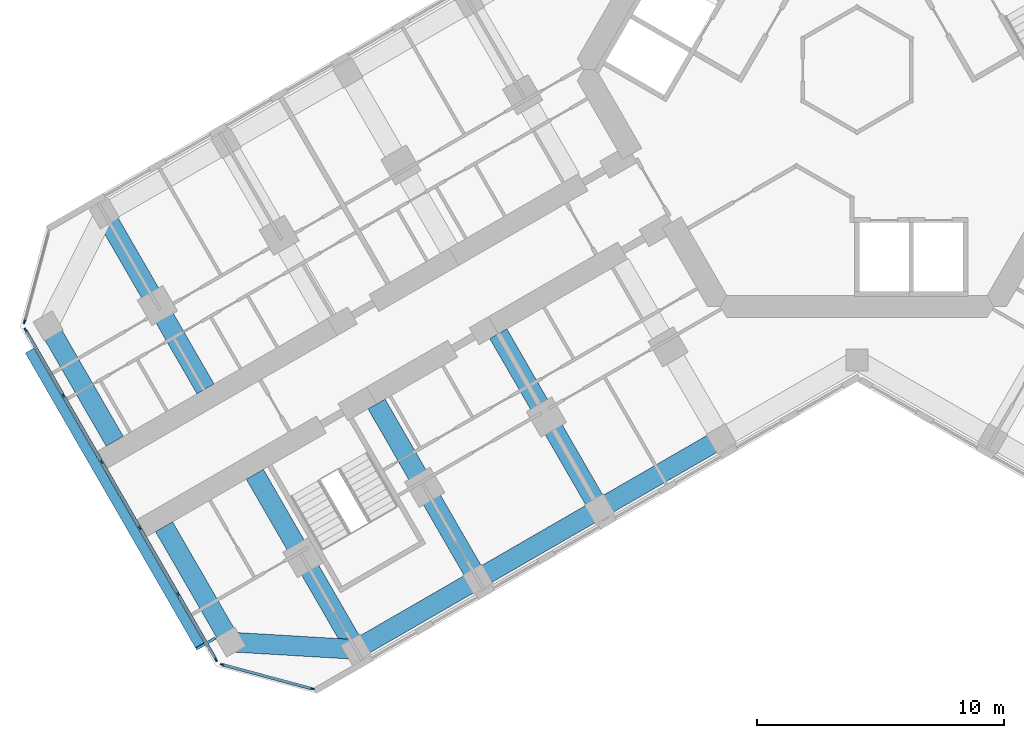
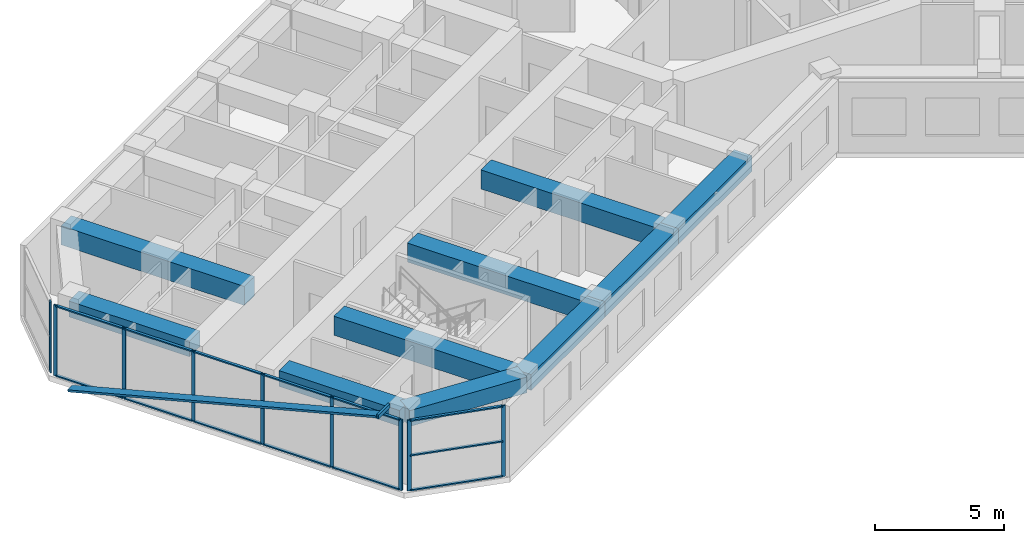
# One storey, part 2 of 20: 24 members, 10 beams, 3 elements without a shape of their own.
"""IFC4 building model written with IfcOpenShell, lengths in metres."""

from ifc_helpers import new_model, si_unit, direction, frame, origin, origin_2d, place, context, subcontext, project, spatial, rectangle, hollow_rectangle, extrude, material, material_profile, profile_set, type_object, element, aggregate, save


model = new_model("IFC4")

# Units and contexts
model_context = context("Model", 3, precision=1e-05, world=origin(), true_north=direction((0.0, 1.0)))
body_context = subcontext(model_context, "Body", "Model", "MODEL_VIEW")
ifc_project = project(units=[si_unit("LENGTHUNIT", "METRE"), si_unit("AREAUNIT", "SQUARE_METRE"), si_unit("VOLUMEUNIT", "CUBIC_METRE"), si_unit("PLANEANGLEUNIT", "RADIAN"), si_unit("MASSUNIT", "GRAM", prefix="KILO")], contexts=[model_context])

# Site, building, storey
site_placement = place(None, origin())
site = spatial("IfcSite", under=ifc_project, at=site_placement, CompositionType="ELEMENT")
building_placement = place(site_placement, origin())
building = spatial("IfcBuilding", under=site, at=building_placement, Name="Kosmar Iwan School Tower", CompositionType="ELEMENT")
storey_placement = place(building_placement, frame((0.0, 0.0, 131.0)))
storey = spatial("IfcBuildingStorey", under=building, at=storey_placement, Name="L32", CompositionType="ELEMENT", Elevation=131.0)

# Members
ifc_material_1 = material(Name="Black anodised aluminium", Category="aluminium")
ifc_material_profile_1 = material_profile(ifc_material_1, rectangle(XDim=0.10009765625, YDim=0.39990234375, at=origin_2d()), Name="FIN 100x400")
ifc_profile_set_1 = profile_set([ifc_material_profile_1], Name="Black anodised aluminium")
member_type_1 = type_object("IfcMemberType", Name="Diagonal fin 100x400", PredefinedType="USERDEFINED", material=ifc_profile_set_1)
member_1_placement = place(storey_placement, frame((-33.54345703125, -11.40087890625, -0.14990234375), z_axis=(0.483795538458, -0.837973939202, 0.252470897702), x_axis=(-0.126233699175, 0.218647221293, 0.967604488318)))
element("IfcMember", 1, at=member_1_placement, inside=storey, type_object=member_type_1, Name="Diagonal fin L32-F13", ObjectType="FIN", PredefinedType="USERDEFINED", context=body_context, shape_type="SweptSolid", body=[
    extrude(rectangle(XDim=0.10009765625, YDim=0.39990234375, at=origin_2d()), origin(), (0.0, 0.0, 1.0), 14.258544921875),
])
ifc_material_2 = material(Name="Steel S355", Category="steel")
ifc_material_profile_2 = material_profile(ifc_material_2, hollow_rectangle(XDim=0.10009765625, YDim=0.199951171875, WallThickness=0.008056640625, at=origin_2d()), Name="RHS 200x100x8")
ifc_profile_set_2 = profile_set([ifc_material_profile_2], Name="Steel S355")
member_type_2 = type_object("IfcMemberType", Name="Fin bracket RHS 200x100", PredefinedType="USERDEFINED", material=ifc_profile_set_2)
member_2_placement = place(storey_placement, frame((-26.01318359375, -23.0439453125, 3.47509765625), z_axis=(-0.866013897511, -0.50001992892, 0.0), x_axis=(0.50001992892, -0.866013897511, 0.0)))
element("IfcMember", 2, at=member_2_placement, inside=storey, type_object=member_type_2, Name="Fin bracket L33", ObjectType="FIN BRACKET", PredefinedType="USERDEFINED", context=body_context, shape_type="SweptSolid", body=[
    extrude(hollow_rectangle(XDim=0.10009765625, YDim=0.199951171875, WallThickness=0.008056640625, at=origin_2d()), origin(), (0.0, 0.0, 1.0), 0.89990234375),
])

# Curtain wall, member
ifc_material_3 = material(Name="Dark glass in black aluminium frame", Category="aluminium")
curtain_wall_type_1 = type_object("IfcCurtainWallType", Name="Chamfer curtain wall dark glass", PredefinedType="USERDEFINED", material=ifc_material_3)
curtain_wall_1_placement = place(storey_placement, origin())
curtain_wall_1 = element("IfcCurtainWall", 3, at=curtain_wall_1_placement, inside=storey, type_object=curtain_wall_type_1, Name="Curtain wall L32-F12", ObjectType="FACETED CURTAIN WALL", PredefinedType="USERDEFINED")
ifc_material_4 = material(Name="Black anodised aluminium", Category="aluminium")
ifc_material_profile_3 = material_profile(ifc_material_4, rectangle(XDim=0.06005859375, YDim=0.159912109375, at=origin_2d()), Name="MULLION 60x160")
ifc_profile_set_3 = profile_set([ifc_material_profile_3], Name="Black anodised aluminium")
member_type_3 = type_object("IfcMemberType", Name="Mullion 60x160", PredefinedType="MULLION", material=ifc_profile_set_3)
member_3_placement = place(storey_placement, frame((-33.7587890625, -10.2236328125, 0.0), z_axis=(0.0, 0.0, 1.0), x_axis=(0.965925875495, -0.258818861462, 0.0)))
member_3 = element("IfcMember", 4, at=member_3_placement, type_object=member_type_3, Name="CW2 mullion 2", PredefinedType="MULLION", context=body_context, shape_type="SweptSolid", body=[
    extrude(rectangle(XDim=0.06005859375, YDim=0.159912109375, at=origin_2d()), origin(), (0.0, 0.0, 1.0), 3.35009765625),
])
aggregate(curtain_wall_1, [member_3])

# Curtain wall, members
ifc_material_5 = material(Name="Dark glass in black aluminium frame", Category="aluminium")
curtain_wall_type_2 = type_object("IfcCurtainWallType", Name="Tower curtain wall dark glass", PredefinedType="USERDEFINED", material=ifc_material_5)
curtain_wall_2_placement = place(storey_placement, origin())
curtain_wall_2 = element("IfcCurtainWall", 5, at=curtain_wall_2_placement, inside=storey, type_object=curtain_wall_type_2, Name="Curtain wall L32-F13", ObjectType="UNITISED CURTAIN WALL", PredefinedType="USERDEFINED")
member_4_placement = place(storey_placement, frame((-33.71533203125, -10.55322265625, 0.0), z_axis=(0.0, 0.0, 1.0), x_axis=(0.866025405329, 0.499999997325, 0.0)))
member_4 = element("IfcMember", 6, at=member_4_placement, type_object=member_type_3, Name="CW1 mullion 1", PredefinedType="MULLION", context=body_context, shape_type="SweptSolid", body=[
    extrude(rectangle(XDim=0.06005859375, YDim=0.159912109375, at=origin_2d()), origin(), (0.0, 0.0, 1.0), 3.35009765625),
])
member_5_placement = place(storey_placement, frame((-32.1806640625, -13.21142578125, 0.0), z_axis=(0.0, 0.0, 1.0), x_axis=(0.866025405329, 0.499999997325, 0.0)))
member_5 = element("IfcMember", 7, at=member_5_placement, type_object=member_type_3, Name="CW1 mullion 2", PredefinedType="MULLION", context=body_context, shape_type="SweptSolid", body=[
    extrude(rectangle(XDim=0.06005859375, YDim=0.159912109375, at=origin_2d()), origin(), (0.0, 0.0, 1.0), 3.35009765625),
])
member_6_placement = place(storey_placement, frame((-30.631103515625, -15.8955078125, 0.0), z_axis=(0.0, 0.0, 1.0), x_axis=(0.866025405329, 0.499999997325, 0.0)))
member_6 = element("IfcMember", 8, at=member_6_placement, type_object=member_type_3, Name="CW1 mullion 3", PredefinedType="MULLION", context=body_context, shape_type="SweptSolid", body=[
    extrude(rectangle(XDim=0.06005859375, YDim=0.159912109375, at=origin_2d()), origin(), (0.0, 0.0, 1.0), 3.35009765625),
])
member_7_placement = place(storey_placement, frame((-29.081298828125, -18.57958984375, 0.0), z_axis=(0.0, 0.0, 1.0), x_axis=(0.866025405329, 0.499999997325, 0.0)))
member_7 = element("IfcMember", 9, at=member_7_placement, type_object=member_type_3, Name="CW1 mullion 4", PredefinedType="MULLION", context=body_context, shape_type="SweptSolid", body=[
    extrude(rectangle(XDim=0.06005859375, YDim=0.159912109375, at=origin_2d()), origin(), (0.0, 0.0, 1.0), 3.35009765625),
])
member_8_placement = place(storey_placement, frame((-27.53173828125, -21.263671875, 0.0), z_axis=(0.0, 0.0, 1.0), x_axis=(0.866025405329, 0.499999997325, 0.0)))
member_8 = element("IfcMember", 10, at=member_8_placement, type_object=member_type_3, Name="CW1 mullion 5", PredefinedType="MULLION", context=body_context, shape_type="SweptSolid", body=[
    extrude(rectangle(XDim=0.06005859375, YDim=0.159912109375, at=origin_2d()), origin(), (0.0, 0.0, 1.0), 3.35009765625),
])
member_9_placement = place(storey_placement, frame((-25.9970703125, -23.921630859375, 0.0), z_axis=(0.0, 0.0, 1.0), x_axis=(0.866025405329, 0.499999997325, 0.0)))
member_9 = element("IfcMember", 11, at=member_9_placement, type_object=member_type_3, Name="CW1 mullion 6", PredefinedType="MULLION", context=body_context, shape_type="SweptSolid", body=[
    extrude(rectangle(XDim=0.06005859375, YDim=0.159912109375, at=origin_2d()), origin(), (0.0, 0.0, 1.0), 3.35009765625),
])

curtain_wall_3_placement = place(storey_placement, origin())
curtain_wall_3 = element("IfcCurtainWall", 12, at=curtain_wall_3_placement, inside=storey, type_object=curtain_wall_type_1, Name="Curtain wall L32-F14", ObjectType="FACETED CURTAIN WALL", PredefinedType="USERDEFINED")
member_10_placement = place(storey_placement, frame((-25.733154296875, -24.124267578125, 0.0), z_axis=(0.0, 0.0, 1.0), x_axis=(0.258818861462, 0.965925875495, 0.0)))
member_10 = element("IfcMember", 13, at=member_10_placement, type_object=member_type_3, Name="CW2 mullion 1", PredefinedType="MULLION", context=body_context, shape_type="SweptSolid", body=[
    extrude(rectangle(XDim=0.06005859375, YDim=0.159912109375, at=origin_2d()), origin(), (0.0, 0.0, 1.0), 3.35009765625),
])
member_11_placement = place(storey_placement, frame((-22.0830078125, -25.102294921875, 0.0), z_axis=(0.0, 0.0, 1.0), x_axis=(0.258818861462, 0.965925875495, 0.0)))
member_11 = element("IfcMember", 14, at=member_11_placement, type_object=member_type_3, Name="CW2 mullion 2", PredefinedType="MULLION", context=body_context, shape_type="SweptSolid", body=[
    extrude(rectangle(XDim=0.06005859375, YDim=0.159912109375, at=origin_2d()), origin(), (0.0, 0.0, 1.0), 3.35009765625),
])

# Beams
ifc_material_6 = material(Name="Concrete C50/60", Category="concrete")
ifc_material_profile_4 = material_profile(ifc_material_6, rectangle(XDim=0.800048828125, YDim=0.75, at=origin_2d()), Name="RC 800x750")
ifc_profile_set_4 = profile_set([ifc_material_profile_4], Name="Concrete C50/60")
beam_type_1 = type_object("IfcBeamType", Name="RC edge beam 800x750", PredefinedType="BEAM", material=ifc_profile_set_4)
beam_1_placement = place(storey_placement, frame((-5.5087890625, -14.95849609375, 2.97509765625), z_axis=(-0.866033658841, -0.49998570155, 0.0), x_axis=(0.49998570155, -0.866033658841, 0.0)))
element("IfcBeam", 15, at=beam_1_placement, inside=storey, type_object=beam_type_1, Name="Edge beam BL2", PredefinedType="BEAM", context=body_context, shape_type="SweptSolid", body=[
    extrude(rectangle(XDim=0.800048828125, YDim=0.75, at=origin_2d()), origin(), (0.0, 0.0, 1.0), 5.699951171875),
])
beam_2_placement = place(storey_placement, frame((-10.445068359375, -17.808349609375, 2.97509765625), z_axis=(-0.866025820012, -0.499999279071, 0.0), x_axis=(0.499999279071, -0.866025820012, 0.0)))
element("IfcBeam", 16, at=beam_2_placement, inside=storey, type_object=beam_type_1, Name="Edge beam BL3", PredefinedType="BEAM", context=body_context, shape_type="SweptSolid", body=[
    extrude(rectangle(XDim=0.800048828125, YDim=0.75, at=origin_2d()), origin(), (0.0, 0.0, 1.0), 5.7001953125),
])
beam_3_placement = place(storey_placement, frame((-15.381591796875, -20.658447265625, 2.97509765625), z_axis=(-0.866015111908, -0.50001782563, 0.0), x_axis=(0.50001782563, -0.866015111908, 0.0)))
element("IfcBeam", 17, at=beam_3_placement, inside=storey, type_object=beam_type_1, Name="Edge beam BL4", PredefinedType="BEAM", context=body_context, shape_type="SweptSolid", body=[
    extrude(rectangle(XDim=0.800048828125, YDim=0.75, at=origin_2d()), origin(), (0.0, 0.0, 1.0), 5.699951171875),
])
ifc_material_7 = material(Name="Concrete C50/60", Category="concrete")
ifc_material_profile_5 = material_profile(ifc_material_7, rectangle(XDim=0.800048828125, YDim=0.75, at=origin_2d()), Name="RC 800x750")
ifc_profile_set_5 = profile_set([ifc_material_profile_5], Name="Concrete C50/60")
beam_type_2 = type_object("IfcBeamType", Name="RC tip beam 800x750", PredefinedType="BEAM", material=ifc_profile_set_5)
beam_4_placement = place(storey_placement, frame((-20.31787109375, -23.508544921875, 2.97509765625), z_axis=(-0.998260616478, 0.058955420358, 0.0), x_axis=(-0.058955420358, -0.998260616478, 0.0)))
element("IfcBeam", 18, at=beam_4_placement, inside=storey, type_object=beam_type_2, Name="Tip beam BL", PredefinedType="BEAM", context=body_context, shape_type="SweptSolid", body=[
    extrude(rectangle(XDim=0.800048828125, YDim=0.75, at=origin_2d()), origin(), (0.0, 0.0, 1.0), 5.08935546875),
])
for number, where, z_axis, x_axis, name in (
    (19, (-25.3984375, -23.20849609375, 2.97509765625), (-0.499995103361, 0.866028230842, 0.0), (-0.866028230842, -0.499995103361, 0.0), "Tip beam BL to corridor wall"),
    (20, (-32.79833984375, -10.391357421875, 2.97509765625), (0.499995103361, -0.866028230842, 0.0), (0.866028230842, 0.499995103361, 0.0), "Tip beam BR to corridor wall"),
):
    element("IfcBeam", number, at=place(storey_placement, frame(where, z_axis=z_axis, x_axis=x_axis)), inside=storey, type_object=beam_type_2, Name=name, PredefinedType="BEAM", context=body_context, shape_type="SweptSolid", body=[
        extrude(rectangle(XDim=0.800048828125, YDim=0.75, at=origin_2d()), origin(), (0.0, 0.0, 1.0), 5.39990234375),
    ])
ifc_material_8 = material(Name="Concrete C50/60", Category="concrete")
ifc_material_profile_6 = material_profile(ifc_material_8, rectangle(XDim=0.800048828125, YDim=0.89990234375, at=origin_2d()), Name="RC 800x900")
ifc_profile_set_6 = profile_set([ifc_material_profile_6], Name="Concrete C50/60")
beam_type_3 = type_object("IfcBeamType", Name="RC transverse beam 800x900", PredefinedType="BEAM", material=ifc_profile_set_6)
for number, where, z_axis, x_axis, name in (
    (21, (-10.445068359375, -17.808349609375, 2.89990234375), (-0.500013681986, 0.866017504342, 0.0), (-0.866017504342, -0.500013681986, 0.0), "Transverse beam BL2"),
    (22, (-15.381591796875, -20.658447265625, 2.89990234375), (-0.49999135188, 0.866030396721, 0.0), (-0.866030396721, -0.49999135188, 0.0), "Transverse beam BL3"),
    (23, (-20.31787109375, -23.508544921875, 2.89990234375), (-0.499978459874, 0.866037839625, 0.0), (-0.866037839625, -0.499978459874, 0.0), "Transverse beam BL4"),
    (24, (-30.517822265625, -5.841552734375, 2.89990234375), (0.500013681986, -0.866017504342, 0.0), (0.866017504342, 0.500013681986, 0.0), "Transverse beam BR4"),
):
    element("IfcBeam", number, at=place(storey_placement, frame(where, z_axis=z_axis, x_axis=x_axis)), inside=storey, type_object=beam_type_3, Name=name, PredefinedType="BEAM", context=body_context, shape_type="SweptSolid", body=[
        extrude(rectangle(XDim=0.800048828125, YDim=0.89990234375, at=origin_2d()), origin(), (0.0, 0.0, 1.0), 8.199951171875),
    ])

# Member
ifc_material_9 = material(Name="Black anodised aluminium", Category="aluminium")
ifc_material_profile_7 = material_profile(ifc_material_9, rectangle(XDim=0.1201171875, YDim=0.06005859375, at=origin_2d()), Name="TRANSOM 60x120")
ifc_profile_set_7 = profile_set([ifc_material_profile_7], Name="Black anodised aluminium")
member_type_4 = type_object("IfcMemberType", Name="Transom 60x120", PredefinedType="USERDEFINED", material=ifc_profile_set_7)
member_12_placement = place(storey_placement, frame((-33.700439453125, -10.579345703125, 0.030029296875), z_axis=(0.500022102064, -0.866012642776, 0.0), x_axis=(0.866012642776, 0.500022102064, 0.0)))
member_12 = element("IfcMember", 25, at=member_12_placement, type_object=member_type_4, Name="CW1 transom 1.1", ObjectType="TRANSOM", PredefinedType="USERDEFINED", context=body_context, shape_type="SweptSolid", body=[
    extrude(rectangle(XDim=0.1201171875, YDim=0.06005859375, at=origin_2d()), origin(), (0.0, 0.0, 1.0), 3.009033203125),
])

member_13_placement = place(storey_placement, frame((-33.700439453125, -10.579345703125, 3.320068359375), z_axis=(0.500022102064, -0.866012642776, 0.0), x_axis=(0.866012642776, 0.500022102064, 0.0)))
member_13 = element("IfcMember", 26, at=member_13_placement, type_object=member_type_4, Name="CW1 transom 1.2", ObjectType="TRANSOM", PredefinedType="USERDEFINED", context=body_context, shape_type="SweptSolid", body=[
    extrude(rectangle(XDim=0.1201171875, YDim=0.06005859375, at=origin_2d()), origin(), (0.0, 0.0, 1.0), 3.009033203125),
])

member_14_placement = place(storey_placement, frame((-32.165771484375, -13.2373046875, 0.030029296875), z_axis=(0.500035348339, -0.866004994449, 0.0), x_axis=(0.866004994449, 0.500035348339, 0.0)))
member_14 = element("IfcMember", 27, at=member_14_placement, type_object=member_type_4, Name="CW1 transom 2.1", ObjectType="TRANSOM", PredefinedType="USERDEFINED", context=body_context, shape_type="SweptSolid", body=[
    extrude(rectangle(XDim=0.1201171875, YDim=0.06005859375, at=origin_2d()), origin(), (0.0, 0.0, 1.0), 3.039306640625),
])

member_15_placement = place(storey_placement, frame((-32.165771484375, -13.2373046875, 3.320068359375), z_axis=(0.500035348339, -0.866004994449, 0.0), x_axis=(0.866004994449, 0.500035348339, 0.0)))
member_15 = element("IfcMember", 28, at=member_15_placement, type_object=member_type_4, Name="CW1 transom 2.2", ObjectType="TRANSOM", PredefinedType="USERDEFINED", context=body_context, shape_type="SweptSolid", body=[
    extrude(rectangle(XDim=0.1201171875, YDim=0.06005859375, at=origin_2d()), origin(), (0.0, 0.0, 1.0), 3.039306640625),
])

member_16_placement = place(storey_placement, frame((-30.615966796875, -15.92138671875, 0.030029296875), z_axis=(0.499975102327, -0.866039777986, 0.0), x_axis=(0.866039777986, 0.499975102327, 0.0)))
member_16 = element("IfcMember", 29, at=member_16_placement, type_object=member_type_4, Name="CW1 transom 3.1", ObjectType="TRANSOM", PredefinedType="USERDEFINED", context=body_context, shape_type="SweptSolid", body=[
    extrude(rectangle(XDim=0.1201171875, YDim=0.06005859375, at=origin_2d()), origin(), (0.0, 0.0, 1.0), 3.039306640625),
])

member_17_placement = place(storey_placement, frame((-30.615966796875, -15.92138671875, 3.320068359375), z_axis=(0.499975102327, -0.866039777986, 0.0), x_axis=(0.866039777986, 0.499975102327, 0.0)))
member_17 = element("IfcMember", 30, at=member_17_placement, type_object=member_type_4, Name="CW1 transom 3.2", ObjectType="TRANSOM", PredefinedType="USERDEFINED", context=body_context, shape_type="SweptSolid", body=[
    extrude(rectangle(XDim=0.1201171875, YDim=0.06005859375, at=origin_2d()), origin(), (0.0, 0.0, 1.0), 3.039306640625),
])

member_18_placement = place(storey_placement, frame((-29.06640625, -18.60546875, 0.030029296875), z_axis=(0.499975102327, -0.866039777986, 0.0), x_axis=(0.866039777986, 0.499975102327, 0.0)))
member_18 = element("IfcMember", 31, at=member_18_placement, type_object=member_type_4, Name="CW1 transom 4.1", ObjectType="TRANSOM", PredefinedType="USERDEFINED", context=body_context, shape_type="SweptSolid", body=[
    extrude(rectangle(XDim=0.1201171875, YDim=0.06005859375, at=origin_2d()), origin(), (0.0, 0.0, 1.0), 3.039306640625),
])

member_19_placement = place(storey_placement, frame((-29.06640625, -18.60546875, 3.320068359375), z_axis=(0.499975102327, -0.866039777986, 0.0), x_axis=(0.866039777986, 0.499975102327, 0.0)))
member_19 = element("IfcMember", 32, at=member_19_placement, type_object=member_type_4, Name="CW1 transom 4.2", ObjectType="TRANSOM", PredefinedType="USERDEFINED", context=body_context, shape_type="SweptSolid", body=[
    extrude(rectangle(XDim=0.1201171875, YDim=0.06005859375, at=origin_2d()), origin(), (0.0, 0.0, 1.0), 3.039306640625),
])

member_20_placement = place(storey_placement, frame((-27.516845703125, -21.28955078125, 0.030029296875), z_axis=(0.499986971506, -0.866032925658, 0.0), x_axis=(0.866032925658, 0.499986971506, 0.0)))
member_20 = element("IfcMember", 33, at=member_20_placement, type_object=member_type_4, Name="CW1 transom 5.1", ObjectType="TRANSOM", PredefinedType="USERDEFINED", context=body_context, shape_type="SweptSolid", body=[
    extrude(rectangle(XDim=0.1201171875, YDim=0.06005859375, at=origin_2d()), origin(), (0.0, 0.0, 1.0), 3.00927734375),
])

member_21_placement = place(storey_placement, frame((-27.516845703125, -21.28955078125, 3.320068359375), z_axis=(0.499986971506, -0.866032925658, 0.0), x_axis=(0.866032925658, 0.499986971506, 0.0)))
member_21 = element("IfcMember", 34, at=member_21_placement, type_object=member_type_4, Name="CW1 transom 5.2", ObjectType="TRANSOM", PredefinedType="USERDEFINED", context=body_context, shape_type="SweptSolid", body=[
    extrude(rectangle(XDim=0.1201171875, YDim=0.06005859375, at=origin_2d()), origin(), (0.0, 0.0, 1.0), 3.00927734375),
])

aggregate(curtain_wall_2, [member_4, member_5, member_6, member_7, member_8, member_9, member_12, member_13, member_14, member_15, member_16, member_17, member_18, member_19, member_20, member_21])

member_22_placement = place(storey_placement, frame((-25.704345703125, -24.1318359375, 0.030029296875), z_axis=(0.965923731726, -0.258826861991, 0.0), x_axis=(0.258826861991, 0.965923731726, 0.0)))
member_22 = element("IfcMember", 35, at=member_22_placement, type_object=member_type_4, Name="CW2 transom 1.1", ObjectType="TRANSOM", PredefinedType="USERDEFINED", context=body_context, shape_type="SweptSolid", body=[
    extrude(rectangle(XDim=0.1201171875, YDim=0.06005859375, at=origin_2d()), origin(), (0.0, 0.0, 1.0), 3.71923828125),
])

member_23_placement = place(storey_placement, frame((-25.704345703125, -24.1318359375, 1.675048828125), z_axis=(0.965923731726, -0.258826861991, 0.0), x_axis=(0.258826861991, 0.965923731726, 0.0)))
member_23 = element("IfcMember", 36, at=member_23_placement, type_object=member_type_4, Name="CW2 transom 1.2", ObjectType="TRANSOM", PredefinedType="USERDEFINED", context=body_context, shape_type="SweptSolid", body=[
    extrude(rectangle(XDim=0.1201171875, YDim=0.06005859375, at=origin_2d()), origin(), (0.0, 0.0, 1.0), 3.71923828125),
])

member_24_placement = place(storey_placement, frame((-25.704345703125, -24.1318359375, 3.320068359375), z_axis=(0.965923731726, -0.258826861991, 0.0), x_axis=(0.258826861991, 0.965923731726, 0.0)))
member_24 = element("IfcMember", 37, at=member_24_placement, type_object=member_type_4, Name="CW2 transom 1.3", ObjectType="TRANSOM", PredefinedType="USERDEFINED", context=body_context, shape_type="SweptSolid", body=[
    extrude(rectangle(XDim=0.1201171875, YDim=0.06005859375, at=origin_2d()), origin(), (0.0, 0.0, 1.0), 3.71923828125),
])

aggregate(curtain_wall_3, [member_10, member_11, member_22, member_23, member_24])

save(model, "model.ifc")
